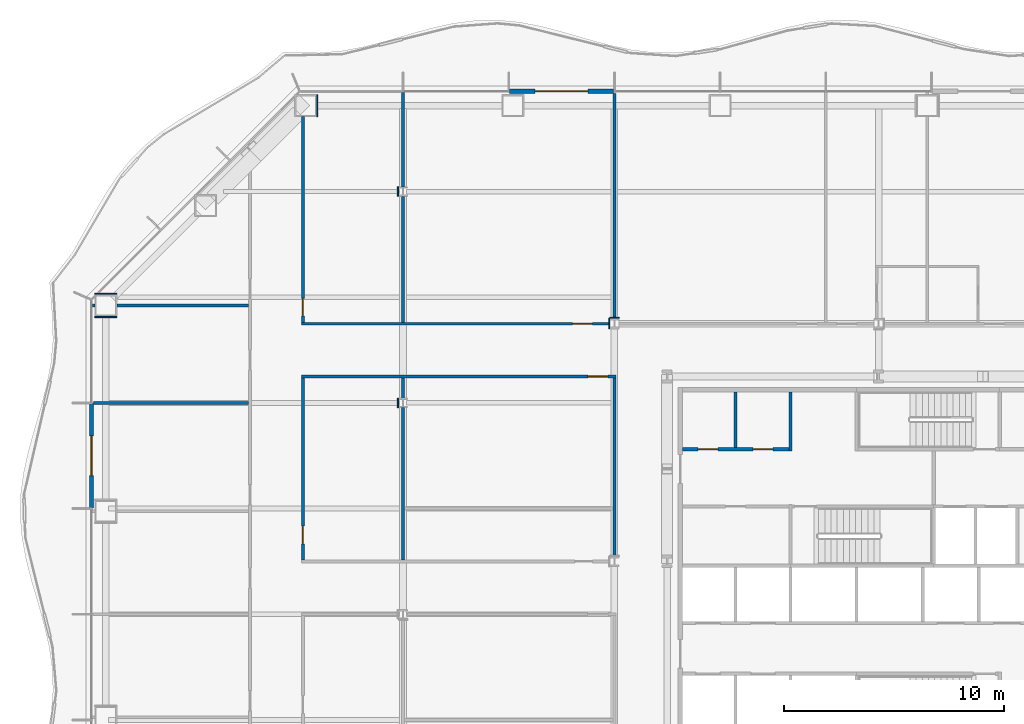
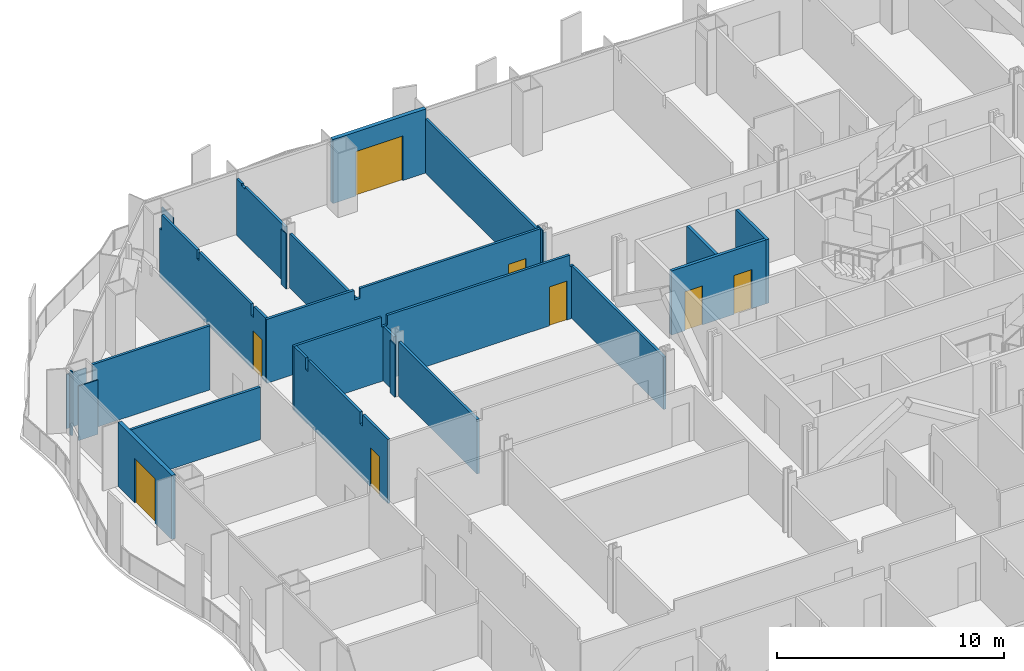
# One storey, part 12 of 21: 25 walls, 8 doors, 8 openings.
"""IFC4 building model written with IfcOpenShell, lengths in metres."""

from ifc_helpers import new_model, si_unit, direction, frame, frame_2d, origin, place, context, subcontext, project, spatial, polyline, rectangle, outline, extrude, material, layer, layer_set, type_object, element, fill, save


model = new_model("IFC4")

# Units and contexts
model_context = context("Model", 3, precision=1e-05, world=origin(), true_north=direction((0.0, 1.0)))
body_context = subcontext(model_context, "Body", "Model", "MODEL_VIEW")
ifc_project = project(units=[si_unit("LENGTHUNIT", "METRE"), si_unit("AREAUNIT", "SQUARE_METRE"), si_unit("VOLUMEUNIT", "CUBIC_METRE"), si_unit("PLANEANGLEUNIT", "RADIAN"), si_unit("MASSUNIT", "GRAM", prefix="KILO")], contexts=[model_context])

# Site, building, storey
site_placement = place(None, origin())
site = spatial("IfcSite", under=ifc_project, at=site_placement, CompositionType="ELEMENT")
building_placement = place(site_placement, origin())
building = spatial("IfcBuilding", under=site, at=building_placement, Name="Cairn Pilgrim Tower", CompositionType="ELEMENT")
storey_placement = place(building_placement, frame((0.0, 0.0, 58.199951171875)))
storey = spatial("IfcBuildingStorey", under=building, at=storey_placement, Name="L12", CompositionType="ELEMENT", Elevation=58.199951171875)

# Wall, opening, door
ifc_material_1 = material(Name="Bronze anodised aluminium insulated sandwich panel with mineral wool fill", Category="aluminium")
ifc_layer_1 = layer(ifc_material_1, 0.199951171875)
ifc_layer_set_1 = layer_set([ifc_layer_1], Name="BRONZE INFILL FRAME WALL 200")
wall_type_1 = type_object("IfcWallType", Name="BRONZE INFILL FRAME WALL 200", PredefinedType="NOTDEFINED", material=ifc_layer_set_1)
wall_1_placement = place(storey_placement, frame((-4.830078125, 23.75, 0.0), z_axis=(0.0, 0.0, 1.0), x_axis=(-1.0, 0.0, 0.0)))
wall_1 = element("IfcWall", 1, at=wall_1_placement, inside=storey, type_object=wall_type_1, Name="Bronze infill frame wall IW-N6", PredefinedType="NOTDEFINED", context=body_context, shape_type="SweptSolid", body=[
    extrude(rectangle(XDim=4.739990234375, YDim=0.199951171875, at=frame_2d((2.3701171875, 0.0))), origin(), (0.0, 0.0, 1.0), 3.449951171875),
])
opening_1_placement = place(wall_1_placement, frame((1.169921875, 0.0, 0.0)))
opening_1 = element("IfcOpeningElement", 2, at=opening_1_placement, cuts=wall_1, Name="Opening 1217B", PredefinedType="OPENING", context=body_context, shape_type="SweptSolid", body=[
    extrude(rectangle(XDim=2.39990234375, YDim=2.39990234375, at=frame_2d((1.199951171875, 1.199951171875))), frame((0.0, 0.10986328125, 0.0), z_axis=(0.0, -1.0, 0.0), x_axis=(1.0, 0.0, 0.0)), (0.0, 0.0, 1.0), 0.219970703125),
])
ifc_material_2 = material(Name="Bronze anodised aluminium frame with tinted low-E glass", Category="aluminium")
door_type_1 = type_object("IfcDoorType", Name="BALCONY SLIDING DOOR 2400x2400", OperationType="DOUBLE_DOOR_SLIDING", PredefinedType="DOOR", material=ifc_material_2)
door_1_placement = place(opening_1_placement, origin())
door_1 = element("IfcDoor", 3, at=door_1_placement, inside=storey, type_object=door_type_1, Name="Balcony sliding door 1217B", OperationType="SINGLE_SWING_LEFT", OverallHeight=2.39990234375, OverallWidth=2.39990234375, PredefinedType="DOOR", context=body_context, shape_type="SweptSolid", body=[
    extrude(rectangle(XDim=2.39990234375, YDim=2.39990234375, at=frame_2d((1.199951171875, 1.199951171875))), frame((0.0, 0.02490234375, 0.0), z_axis=(0.0, -1.0, 0.0), x_axis=(1.0, 0.0, 0.0)), (0.0, 0.0, 1.0), 0.050048828125),
])
fill(opening_1, door_1)

wall_2_placement = place(storey_placement, frame((-28.550048828125, 9.570068359375, 0.0), z_axis=(0.0, 0.0, 1.0), x_axis=(0.0, -1.0, 0.0)))
wall_2 = element("IfcWall", 4, at=wall_2_placement, inside=storey, type_object=wall_type_1, Name="Bronze infill frame wall IW-W2", PredefinedType="NOTDEFINED", context=body_context, shape_type="SweptSolid", body=[
    extrude(rectangle(XDim=4.739990234375, YDim=0.199951171875, at=frame_2d((2.3701171875, 0.0))), origin(), (0.0, 0.0, 1.0), 3.449951171875),
])
opening_2_placement = place(wall_2_placement, frame((1.469970703125, 0.0, 0.0)))
opening_2 = element("IfcOpeningElement", 5, at=opening_2_placement, cuts=wall_2, Name="Opening 1213B", PredefinedType="OPENING", context=body_context, shape_type="SweptSolid", body=[
    extrude(rectangle(XDim=1.800048828125, YDim=2.39990234375, at=frame_2d((0.89990234375, 1.199951171875))), frame((0.0, 0.10986328125, 0.0), z_axis=(0.0, -1.0, 0.0), x_axis=(1.0, 0.0, 0.0)), (0.0, 0.0, 1.0), 0.219970703125),
])
door_type_2 = type_object("IfcDoorType", Name="BALCONY SLIDING DOOR 1800x2400", OperationType="DOUBLE_DOOR_SLIDING", PredefinedType="DOOR", material=ifc_material_2)
door_2_placement = place(opening_2_placement, origin())
door_2 = element("IfcDoor", 6, at=door_2_placement, inside=storey, type_object=door_type_2, Name="Balcony sliding door 1213B", OperationType="SINGLE_SWING_LEFT", OverallHeight=2.39990234375, OverallWidth=1.800048828125, PredefinedType="DOOR", context=body_context, shape_type="SweptSolid", body=[
    extrude(rectangle(XDim=1.800048828125, YDim=2.39990234375, at=frame_2d((0.89990234375, 1.199951171875))), frame((0.0, 0.02490234375, 0.0), z_axis=(0.0, -1.0, 0.0), x_axis=(1.0, 0.0, 0.0)), (0.0, 0.0, 1.0), 0.050048828125),
])
fill(opening_2, door_2)

# Wall, openings, doors
ifc_material_3 = material(Name="Concrete C32/40", Category="concrete")
ifc_layer_2 = layer(ifc_material_3, 0.14990234375)
ifc_layer_set_2 = layer_set([ifc_layer_2], Name="CORE PARTITION 150 EI 60")
wall_type_2 = type_object("IfcWallType", Name="CORE PARTITION 150 EI 60", PredefinedType="PARTITIONING", material=ifc_layer_set_2)
wall_3_placement = place(storey_placement, frame((-1.699951171875, 7.5, 0.0), z_axis=(0.0, 0.0, 1.0), x_axis=(1.0, 0.0, 0.0)))
wall_3 = element("IfcWall", 7, at=wall_3_placement, inside=storey, type_object=wall_type_2, Name="CW:L12:H09", PredefinedType="PARTITIONING", context=body_context, shape_type="SweptSolid", body=[
    extrude(rectangle(XDim=4.824951171875, YDim=0.14990234375, at=frame_2d((2.41259765625, 0.0))), origin(), (0.0, 0.0, 1.0), 3.449951171875),
])
opening_3_placement = place(wall_3_placement, frame((0.699951171875, 0.0, 0.0)))
opening_3 = element("IfcOpeningElement", 8, at=opening_3_placement, cuts=wall_3, Name="Opening RD-R4W1", PredefinedType="OPENING", context=body_context, shape_type="SweptSolid", body=[
    extrude(rectangle(XDim=0.89990234375, YDim=2.10009765625, at=frame_2d((0.449951171875, 1.050048828125))), frame((0.0, 0.0849609375, 0.0), z_axis=(0.0, -1.0, 0.0), x_axis=(1.0, 0.0, 0.0)), (0.0, 0.0, 1.0), 0.169921875),
])
opening_4_placement = place(wall_3_placement, frame((3.199951171875, 0.0, 0.0)))
opening_4 = element("IfcOpeningElement", 9, at=opening_4_placement, cuts=wall_3, Name="Opening RD-R4W2", PredefinedType="OPENING", context=body_context, shape_type="SweptSolid", body=[
    extrude(rectangle(XDim=0.89990234375, YDim=2.10009765625, at=frame_2d((0.449951171875, 1.050048828125))), frame((0.0, 0.0849609375, 0.0), z_axis=(0.0, -1.0, 0.0), x_axis=(1.0, 0.0, 0.0)), (0.0, 0.0, 1.0), 0.169921875),
])
ifc_material_4 = material(Name="Painted steel", Category="steel")
door_type_3 = type_object("IfcDoorType", Name="SERVICE ROOM DOOR 900x2100", OperationType="SINGLE_SWING_LEFT", PredefinedType="DOOR", material=ifc_material_4)
door_3_placement = place(opening_3_placement, origin())
door_3 = element("IfcDoor", 10, at=door_3_placement, inside=storey, type_object=door_type_3, Name="RD-R4W1", OperationType="SINGLE_SWING_RIGHT", OverallHeight=2.10009765625, OverallWidth=0.89990234375, PredefinedType="DOOR", context=body_context, shape_type="SweptSolid", body=[
    extrude(rectangle(XDim=0.89990234375, YDim=2.10009765625, at=frame_2d((0.449951171875, 1.050048828125))), frame((0.0, 0.02490234375, 0.0), z_axis=(0.0, -1.0, 0.0), x_axis=(1.0, 0.0, 0.0)), (0.0, 0.0, 1.0), 0.050048828125),
])
fill(opening_3, door_3)
door_4_placement = place(opening_4_placement, origin())
door_4 = element("IfcDoor", 11, at=door_4_placement, inside=storey, type_object=door_type_3, Name="RD-R4W2", OperationType="SINGLE_SWING_LEFT", OverallHeight=2.10009765625, OverallWidth=0.89990234375, PredefinedType="DOOR", context=body_context, shape_type="SweptSolid", body=[
    extrude(rectangle(XDim=0.89990234375, YDim=2.10009765625, at=frame_2d((0.449951171875, 1.050048828125))), frame((0.0, 0.02490234375, 0.0), z_axis=(0.0, -1.0, 0.0), x_axis=(1.0, 0.0, 0.0)), (0.0, 0.0, 1.0), 0.050048828125),
])
fill(opening_4, door_4)

# Walls
wall_4_placement = place(storey_placement, frame((0.699951171875, 7.574951171875, 0.0), z_axis=(0.0, 0.0, 1.0), x_axis=(0.0, 1.0, 0.0)))
element("IfcWall", 12, at=wall_4_placement, inside=storey, type_object=wall_type_2, Name="CW:L12:V15", PredefinedType="PARTITIONING", context=body_context, shape_type="SweptSolid", body=[
    extrude(rectangle(XDim=2.525146484375, YDim=0.14990234375, at=frame_2d((1.2626953125, 0.0))), origin(), (0.0, 0.0, 1.0), 3.449951171875),
])
wall_5_placement = place(storey_placement, frame((3.199951171875, 7.425048828125, 0.0), z_axis=(0.0, 0.0, 1.0), x_axis=(0.0, 1.0, 0.0)))
element("IfcWall", 13, at=wall_5_placement, inside=storey, type_object=wall_type_2, Name="CW:L12:V19", PredefinedType="PARTITIONING", context=body_context, shape_type="SweptSolid", body=[
    extrude(rectangle(XDim=2.675048828125, YDim=0.14990234375, at=frame_2d((1.33740234375, 0.0))), origin(), (0.0, 0.0, 1.0), 3.449951171875),
])

# Wall, opening, door
ifc_material_5 = material(Name="Gypsum partition")
ifc_layer_3 = layer(ifc_material_5, 0.125)
ifc_layer_set_3 = layer_set([ifc_layer_3], Name="PARTITION 125 DRYWALL EI 60")
wall_type_3 = type_object("IfcWallType", Name="PARTITION 125 DRYWALL EI 60", PredefinedType="PARTITIONING", material=ifc_layer_set_3)
wall_6_placement = place(storey_placement, frame((-18.949951171875, 2.46240234375, 0.0), z_axis=(0.0, 0.0, 1.0), x_axis=(0.0, 1.0, 0.0)))
wall_6 = element("IfcWall", 14, at=wall_6_placement, inside=storey, type_object=wall_type_3, Name="PARTITION W051", PredefinedType="PARTITIONING", context=body_context, shape_type="SweptSolid", body=[
    extrude(outline(polyline([(0.0, 0.0), (8.275146484375, 0.0), (8.27490234375, 3.449951171875), (7.24755859375, 3.449951171875), (7.24560546875, 2.830078125), (7.027587890625, 2.830078125), (7.025390625, 3.449951171875), (2.447509765625, 3.449951171875), (2.445556640625, 2.830078125), (2.2275390625, 2.830078125), (2.2255859375, 3.449951171875), (0.0, 3.449951171875), (0.0, 0.0)])), frame((0.0, 0.0625, 0.0), z_axis=(0.0, -1.0, 0.0), x_axis=(1.0, 0.0, 0.0)), (0.0, 0.0, 1.0), 0.125),
])
opening_5_placement = place(wall_6_placement, frame((0.737548828125, 0.0, 0.0)))
opening_5 = element("IfcOpeningElement", 15, at=opening_5_placement, cuts=wall_6, Name="Opening 1233", PredefinedType="OPENING", context=body_context, shape_type="SweptSolid", body=[
    extrude(rectangle(XDim=0.800048828125, YDim=2.10009765625, at=frame_2d((0.39990234375, 1.050048828125))), frame((0.0, 0.072509765625, 0.0), z_axis=(0.0, -1.0, 0.0), x_axis=(1.0, 0.0, 0.0)), (0.0, 0.0, 1.0), 0.14501953125),
])
ifc_material_6 = material(Name="Steel-faced fire door leaf", Category="steel")
door_type_4 = type_object("IfcDoorType", Name="FIRE DOOR 800x2100 FD30S", OperationType="NOTDEFINED", PredefinedType="DOOR", material=ifc_material_6)
door_5_placement = place(opening_5_placement, frame((0.800048828125, 0.0, 0.0), z_axis=(0.0, 0.0, 1.0), x_axis=(-1.0, 0.0, 0.0)))
door_5 = element("IfcDoor", 16, at=door_5_placement, inside=storey, type_object=door_type_4, Name="DOOR 1233", OperationType="SINGLE_SWING_RIGHT", OverallHeight=2.10009765625, OverallWidth=0.800048828125, PredefinedType="DOOR", context=body_context, shape_type="SweptSolid", body=[
    extrude(rectangle(XDim=0.800048828125, YDim=2.10009765625, at=frame_2d((0.39990234375, 1.050048828125))), frame((0.0, 0.02490234375, 0.0), z_axis=(0.0, -1.0, 0.0), x_axis=(1.0, 0.0, 0.0)), (0.0, 0.0, 1.0), 0.050048828125),
])
fill(opening_5, door_5)

# Walls
wall_7_placement = place(storey_placement, frame((-14.39990234375, 2.46240234375, 0.0), z_axis=(0.0, 0.0, 1.0), x_axis=(0.0, 1.0, 0.0)))
element("IfcWall", 17, at=wall_7_placement, inside=storey, type_object=wall_type_3, Name="PARTITION W052", PredefinedType="PARTITIONING", context=body_context, shape_type="SweptSolid", body=[
    extrude(rectangle(XDim=6.925048828125, YDim=0.125, at=frame_2d((3.46240234375, 0.0))), origin(), (0.0, 0.0, 1.0), 2.929931640625),
])
wall_8_placement = place(storey_placement, frame((-4.800048828125, 2.636962890625, 0.0), z_axis=(0.0, 0.0, 1.0), x_axis=(0.0, 1.0, 0.0)))
element("IfcWall", 18, at=wall_8_placement, inside=storey, type_object=wall_type_3, Name="PARTITION W053", PredefinedType="PARTITIONING", context=body_context, shape_type="SweptSolid", body=[
    extrude(rectangle(XDim=8.1005859375, YDim=0.125, at=frame_2d((4.05029296875, 0.0))), origin(), (0.0, 0.0, 1.0), 2.830078125),
])
wall_9_placement = place(storey_placement, frame((-28.449951171875, 9.60009765625, 0.0), z_axis=(0.0, 0.0, 1.0), x_axis=(1.0, 0.0, 0.0)))
element("IfcWall", 19, at=wall_9_placement, inside=storey, type_object=wall_type_3, Name="PARTITION W062", PredefinedType="PARTITIONING", context=body_context, shape_type="SweptSolid", body=[
    extrude(rectangle(XDim=7.037353515625, YDim=0.125, at=frame_2d((3.5185546875, 0.0))), origin(), (0.0, 0.0, 1.0), 2.830078125),
])
wall_10_placement = place(storey_placement, frame((-14.39990234375, 9.8125, 0.0), z_axis=(0.0, 0.0, 1.0), x_axis=(0.0, 1.0, 0.0)))
element("IfcWall", 20, at=wall_10_placement, inside=storey, type_object=wall_type_3, Name="PARTITION W064", PredefinedType="PARTITIONING", context=body_context, shape_type="SweptSolid", body=[
    extrude(rectangle(XDim=0.925048828125, YDim=0.125, at=frame_2d((0.46240234375, 0.0))), origin(), (0.0, 0.0, 1.0), 2.929931640625),
])

# Wall, opening, door
wall_11_placement = place(storey_placement, frame((-19.012451171875, 10.800048828125, 0.0), z_axis=(0.0, 0.0, 1.0), x_axis=(1.0, 0.0, 0.0)))
wall_11 = element("IfcWall", 21, at=wall_11_placement, inside=storey, type_object=wall_type_3, Name="PARTITION W065", PredefinedType="PARTITIONING", context=body_context, shape_type="SweptSolid", body=[
    extrude(outline(polyline([(0.0, 0.0), (14.27490234375, 0.0), (14.27490234375, 2.830078125), (14.0625, 2.830078125), (14.060546875, 3.449951171875), (4.762451171875, 3.449951171875), (4.760498046875, 2.929931640625), (4.46240234375, 2.929931640625), (4.46044921875, 3.449951171875), (0.0, 3.449951171875), (0.0, 0.0)])), frame((0.0, 0.0625, 0.0), z_axis=(0.0, -1.0, 0.0), x_axis=(1.0, 0.0, 0.0)), (0.0, 0.0, 1.0), 0.125),
])
opening_6_placement = place(wall_11_placement, frame((13.012451171875, 0.0, 0.0)))
opening_6 = element("IfcOpeningElement", 22, at=opening_6_placement, cuts=wall_11, Name="Opening 1231", PredefinedType="OPENING", context=body_context, shape_type="SweptSolid", body=[
    extrude(rectangle(XDim=0.89990234375, YDim=2.10009765625, at=frame_2d((0.449951171875, 1.050048828125))), frame((0.0, 0.072509765625, 0.0), z_axis=(0.0, -1.0, 0.0), x_axis=(1.0, 0.0, 0.0)), (0.0, 0.0, 1.0), 0.14501953125),
])
door_type_5 = type_object("IfcDoorType", Name="FIRE DOOR 900x2100 FD30S", OperationType="NOTDEFINED", PredefinedType="DOOR", material=ifc_material_6)
door_6_placement = place(opening_6_placement, frame((0.89990234375, 0.0, 0.0), z_axis=(0.0, 0.0, 1.0), x_axis=(-1.0, 0.0, 0.0)))
door_6 = element("IfcDoor", 23, at=door_6_placement, inside=storey, type_object=door_type_5, Name="DOOR 1231", OperationType="SINGLE_SWING_RIGHT", OverallHeight=2.10009765625, OverallWidth=0.89990234375, PredefinedType="DOOR", context=body_context, shape_type="SweptSolid", body=[
    extrude(rectangle(XDim=0.89990234375, YDim=2.10009765625, at=frame_2d((0.449951171875, 1.050048828125))), frame((0.0, 0.02490234375, 0.0), z_axis=(0.0, -1.0, 0.0), x_axis=(1.0, 0.0, 0.0)), (0.0, 0.0, 1.0), 0.050048828125),
])
fill(opening_6, door_6)

wall_12_placement = place(storey_placement, frame((-19.012451171875, 13.199951171875, 0.0), z_axis=(0.0, 0.0, 1.0), x_axis=(1.0, 0.0, 0.0)))
wall_12 = element("IfcWall", 24, at=wall_12_placement, inside=storey, type_object=wall_type_3, Name="PARTITION W066", PredefinedType="PARTITIONING", context=body_context, shape_type="SweptSolid", body=[
    extrude(outline(polyline([(0.0, 0.0), (14.00048828125, 0.0), (14.00048828125, 3.449951171875), (4.762451171875, 3.449951171875), (4.760498046875, 2.929931640625), (4.46240234375, 2.929931640625), (4.46044921875, 3.449951171875), (0.0, 3.449951171875), (0.0, 0.0)])), frame((0.0, 0.0625, 0.0), z_axis=(0.0, -1.0, 0.0), x_axis=(1.0, 0.0, 0.0)), (0.0, 0.0, 1.0), 0.125),
])
opening_7_placement = place(wall_12_placement, frame((12.3125, 0.0, 0.0)))
opening_7 = element("IfcOpeningElement", 25, at=opening_7_placement, cuts=wall_12, Name="Opening 1217", PredefinedType="OPENING", context=body_context, shape_type="SweptSolid", body=[
    extrude(rectangle(XDim=0.89990234375, YDim=2.10009765625, at=frame_2d((0.449951171875, 1.050048828125))), frame((0.0, 0.072509765625, 0.0), z_axis=(0.0, -1.0, 0.0), x_axis=(1.0, 0.0, 0.0)), (0.0, 0.0, 1.0), 0.14501953125),
])
door_7_placement = place(opening_7_placement, origin())
door_7 = element("IfcDoor", 26, at=door_7_placement, inside=storey, type_object=door_type_5, Name="DOOR 1217", OperationType="SINGLE_SWING_RIGHT", OverallHeight=2.10009765625, OverallWidth=0.89990234375, PredefinedType="DOOR", context=body_context, shape_type="SweptSolid", body=[
    extrude(rectangle(XDim=0.89990234375, YDim=2.10009765625, at=frame_2d((0.449951171875, 1.050048828125))), frame((0.0, 0.02490234375, 0.0), z_axis=(0.0, -1.0, 0.0), x_axis=(1.0, 0.0, 0.0)), (0.0, 0.0, 1.0), 0.050048828125),
])
fill(opening_7, door_7)

wall_13_placement = place(storey_placement, frame((-18.949951171875, 13.262451171875, 0.0), z_axis=(0.0, 0.0, 1.0), x_axis=(0.0, 1.0, 0.0)))
wall_13 = element("IfcWall", 27, at=wall_13_placement, inside=storey, type_object=wall_type_3, Name="PARTITION W069", PredefinedType="PARTITIONING", context=body_context, shape_type="SweptSolid", body=[
    extrude(outline(polyline([(0.0, 0.0), (9.337646484375, 0.0), (9.33740234375, 2.630126953125), (9.1572265625, 2.630126953125), (9.1552734375, 3.449951171875), (6.032470703125, 3.449951171875), (6.030517578125, 2.97998046875), (5.842529296875, 2.97998046875), (5.840576171875, 3.449951171875), (1.24755859375, 3.449951171875), (1.24560546875, 2.830078125), (1.027587890625, 2.830078125), (1.025390625, 3.449951171875), (0.0, 3.449951171875), (0.0, 0.0)])), frame((0.0, 0.0625, 0.0), z_axis=(0.0, -1.0, 0.0), x_axis=(1.0, 0.0, 0.0)), (0.0, 0.0, 1.0), 0.125),
])
opening_8_placement = place(wall_13_placement, frame((0.28759765625, 0.0, 0.0)))
opening_8 = element("IfcOpeningElement", 28, at=opening_8_placement, cuts=wall_13, Name="Opening 1216", PredefinedType="OPENING", context=body_context, shape_type="SweptSolid", body=[
    extrude(rectangle(XDim=0.800048828125, YDim=2.10009765625, at=frame_2d((0.39990234375, 1.050048828125))), frame((0.0, 0.072509765625, 0.0), z_axis=(0.0, -1.0, 0.0), x_axis=(1.0, 0.0, 0.0)), (0.0, 0.0, 1.0), 0.14501953125),
])
door_8_placement = place(opening_8_placement, frame((0.800048828125, 0.0, 0.0), z_axis=(0.0, 0.0, 1.0), x_axis=(-1.0, 0.0, 0.0)))
door_8 = element("IfcDoor", 29, at=door_8_placement, inside=storey, type_object=door_type_4, Name="DOOR 1216", OperationType="SINGLE_SWING_LEFT", OverallHeight=2.10009765625, OverallWidth=0.800048828125, PredefinedType="DOOR", context=body_context, shape_type="SweptSolid", body=[
    extrude(rectangle(XDim=0.800048828125, YDim=2.10009765625, at=frame_2d((0.39990234375, 1.050048828125))), frame((0.0, 0.02490234375, 0.0), z_axis=(0.0, -1.0, 0.0), x_axis=(1.0, 0.0, 0.0)), (0.0, 0.0, 1.0), 0.050048828125),
])
fill(opening_8, door_8)

# Walls
wall_14_placement = place(storey_placement, frame((-14.39990234375, 13.262451171875, 0.0), z_axis=(0.0, 0.0, 1.0), x_axis=(0.0, 1.0, 0.0)))
element("IfcWall", 30, at=wall_14_placement, inside=storey, type_object=wall_type_3, Name="PARTITION W070", PredefinedType="PARTITIONING", context=body_context, shape_type="SweptSolid", body=[
    extrude(rectangle(XDim=5.72509765625, YDim=0.125, at=frame_2d((2.862548828125, 0.0))), origin(), (0.0, 0.0, 1.0), 2.929931640625),
])
wall_15_placement = place(storey_placement, frame((-4.800048828125, 13.43701171875, 0.0), z_axis=(0.0, 0.0, 1.0), x_axis=(0.0, 1.0, 0.0)))
element("IfcWall", 31, at=wall_15_placement, inside=storey, type_object=wall_type_3, Name="PARTITION W075", PredefinedType="PARTITIONING", context=body_context, shape_type="SweptSolid", body=[
    extrude(rectangle(XDim=10.212890625, YDim=0.125, at=frame_2d((5.1064453125, 0.0))), origin(), (0.0, 0.0, 1.0), 2.929931640625),
])
wall_16_placement = place(storey_placement, frame((-28.5029296875, 14.027099609375, 0.0), z_axis=(0.0, 0.0, 1.0), x_axis=(1.0, 0.0, 0.0)))
element("IfcWall", 32, at=wall_16_placement, inside=storey, type_object=wall_type_3, Name="PARTITION W078", PredefinedType="PARTITIONING", context=body_context, shape_type="SweptSolid", body=[
    extrude(rectangle(XDim=0.10302734375, YDim=0.125, at=frame_2d((0.051513671875, 0.0))), origin(), (0.0, 0.0, 1.0), 3.449951171875),
])
wall_17_placement = place(storey_placement, frame((-27.39990234375, 14.027099609375, 0.0), z_axis=(0.0, 0.0, 1.0), x_axis=(1.0, 0.0, 0.0)))
element("IfcWall", 33, at=wall_17_placement, inside=storey, type_object=wall_type_3, Name="PARTITION W079", PredefinedType="PARTITIONING", context=body_context, shape_type="SweptSolid", body=[
    extrude(rectangle(XDim=5.9873046875, YDim=0.125, at=frame_2d((2.99365234375, 0.0))), origin(), (0.0, 0.0, 1.0), 3.449951171875),
])
wall_18_placement = place(storey_placement, frame((-14.39990234375, 19.41259765625, 0.0), z_axis=(0.0, 0.0, 1.0), x_axis=(0.0, 1.0, 0.0)))
element("IfcWall", 34, at=wall_18_placement, inside=storey, type_object=wall_type_3, Name="PARTITION W082", PredefinedType="PARTITIONING", context=body_context, shape_type="SweptSolid", body=[
    extrude(outline(polyline([(0.0, 0.0), (4.27734375, 0.0), (4.277587890625, 3.030029296875), (3.83740234375, 3.030029296875), (3.83544921875, 2.929931640625), (3.53759765625, 2.929931640625), (3.535400390625, 3.030029296875), (0.0, 3.030029296875), (0.0, 0.0)])), frame((0.0, 0.0625, 0.0), z_axis=(0.0, -1.0, 0.0), x_axis=(1.0, 0.0, 0.0)), (0.0, 0.0, 1.0), 0.125),
])
ifc_layer_4 = layer(ifc_material_5, 0.050048828125)
ifc_layer_set_4 = layer_set([ifc_layer_4], Name="PARTITION 50 DRYWALL EI 60")
wall_type_4 = type_object("IfcWallType", Name="PARTITION 50 DRYWALL EI 60", PredefinedType="PARTITIONING", material=ifc_layer_set_4)
wall_19_placement = place(storey_placement, frame((-14.62939453125, 9.387451171875, 0.0), z_axis=(0.0, 0.0, 1.0), x_axis=(0.0, 1.0, 0.0)))
element("IfcWall", 35, at=wall_19_placement, inside=storey, type_object=wall_type_4, Name="COLUMN CASING WC24", PredefinedType="PARTITIONING", context=body_context, shape_type="SweptSolid", body=[
    extrude(rectangle(XDim=0.425048828125, YDim=0.050048828125, at=frame_2d((0.21240234375, 0.0))), origin(), (0.0, 0.0, 1.0), 2.830078125),
])
wall_20_placement = place(storey_placement, frame((-5.011962890625, 13.4619140625, 0.0), z_axis=(0.0, 0.0, 1.0), x_axis=(1.0, 0.0, 0.0)))
element("IfcWall", 36, at=wall_20_placement, inside=storey, type_object=wall_type_4, Name="COLUMN CASING WC30", PredefinedType="PARTITIONING", context=body_context, shape_type="SweptSolid", body=[
    extrude(rectangle(XDim=0.424072265625, YDim=0.050048828125, at=frame_2d((0.2119140625, 0.0))), origin(), (0.0, 0.0, 1.0), 2.929931640625),
])
wall_21_placement = place(storey_placement, frame((-18.30224609375, 22.60009765625, 0.0), z_axis=(0.0, 0.0, 1.0), x_axis=(0.0, 1.0, 0.0)))
element("IfcWall", 37, at=wall_21_placement, inside=storey, type_object=wall_type_4, Name="COLUMN CASING WC34", PredefinedType="PARTITIONING", context=body_context, shape_type="SweptSolid", body=[
    extrude(rectangle(XDim=1.0, YDim=0.050048828125, at=frame_2d((0.5, 0.0))), origin(), (0.0, 0.0, 1.0), 2.929931640625),
])
wall_22_placement = place(storey_placement, frame((-14.62939453125, 18.987548828125, 0.0), z_axis=(0.0, 0.0, 1.0), x_axis=(0.0, 1.0, 0.0)))
element("IfcWall", 38, at=wall_22_placement, inside=storey, type_object=wall_type_4, Name="COLUMN CASING WC35", PredefinedType="PARTITIONING", context=body_context, shape_type="SweptSolid", body=[
    extrude(rectangle(XDim=0.425048828125, YDim=0.050048828125, at=frame_2d((0.21240234375, 0.0))), origin(), (0.0, 0.0, 1.0), 2.97998046875),
])
wall_23_placement = place(storey_placement, frame((-5.037109375, 12.962890625, 0.0), z_axis=(0.0, 0.0, 1.0), x_axis=(0.0, 1.0, 0.0)))
element("IfcWall", 39, at=wall_23_placement, inside=storey, type_object=wall_type_4, Name="COLUMN CASING WC36", PredefinedType="PARTITIONING", context=body_context, shape_type="SweptSolid", body=[
    extrude(rectangle(XDim=0.47412109375, YDim=0.050048828125, at=frame_2d((0.237060546875, 0.0))), origin(), (0.0, 0.0, 1.0), 3.449951171875),
])
for number, where, z_axis, x_axis, name in (
    (40, (-28.39990234375, 14.55224609375, 0.0), (0.0, 0.0, 1.0), (1.0, 0.0, 0.0), "COLUMN CASING WC40"),
    (41, (-28.39990234375, 13.502197265625, 0.0), (0.0, 0.0, 1.0), (1.0, 0.0, 0.0), "COLUMN CASING WC41"),
):
    element("IfcWall", number, at=place(storey_placement, frame(where, z_axis=z_axis, x_axis=x_axis)), inside=storey, type_object=wall_type_4, Name=name, PredefinedType="PARTITIONING", context=body_context, shape_type="SweptSolid", body=[
        extrude(rectangle(XDim=1.0, YDim=0.050048828125, at=frame_2d((0.5, 0.0))), origin(), (0.0, 0.0, 1.0), 2.929931640625),
    ])

save(model, "model.ifc")
